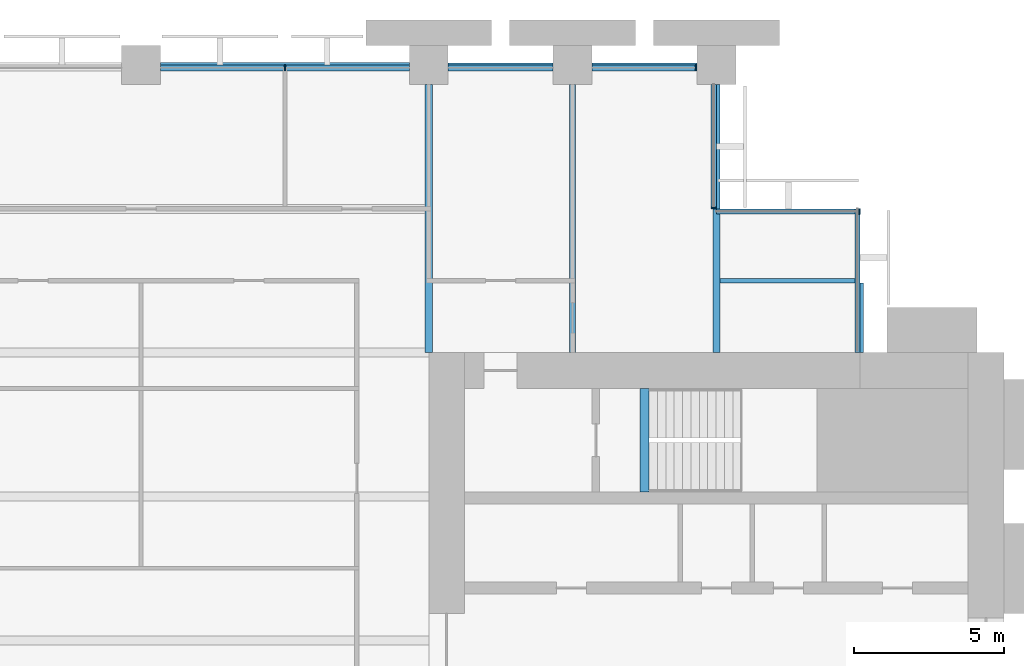
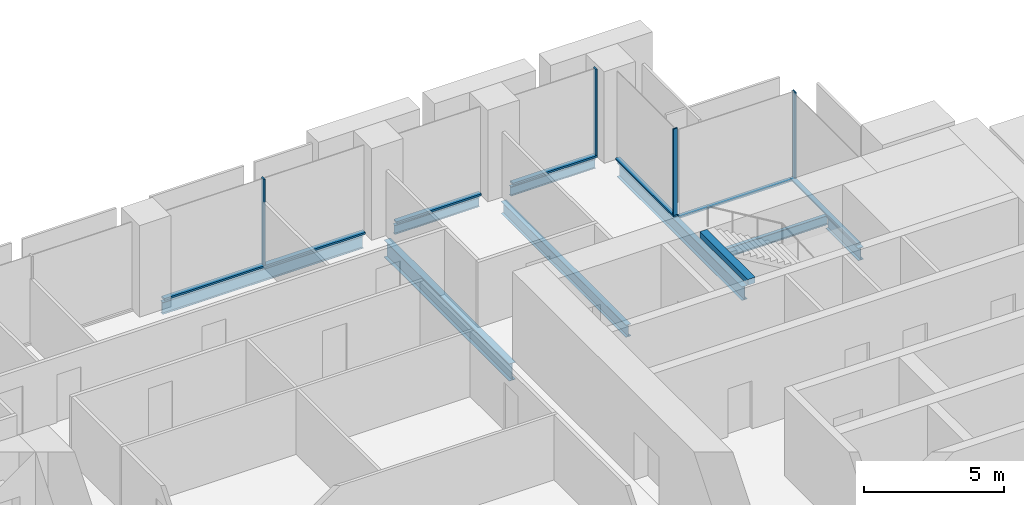
# One storey, part 7 of 14: 10 members, 9 beams, 4 elements without a shape of their own.
"""IFC4 building model written with IfcOpenShell, lengths in metres."""

import ifcopenshell
import ifcopenshell.guid

model = None  # the IFC model being written
_history = None  # IfcOwnerHistory: only IFC2X3 demands one
_inside = {}  # id of a spatial element -> (the spatial element, [elements in it])
_under = {}  # id of a project, library or spatial element -> (it, [spatial elements below it])
_declared = {}  # id of a project -> (the project, [libraries it declares])
_typed = {}  # id of a type object -> (the type object, [elements of that type])
_made_of = {}  # id of a material, layer set ... -> (it, [elements and type objects made of it])


def new_model(schema):
    """Start an empty IFC model of exactly this schema.

    Asked for "IFC4X3", IfcOpenShell would pick the latest addendum, in which some entities
    have other attributes; the version numbers below select the first issue.
    IFC2X3 requires an IfcOwnerHistory on every rooted entity: one is made here for all.
    """
    global model, _history
    if schema == "IFC4X3":
        model = ifcopenshell.file(schema_version=(4, 3, 0, 0))
    else:
        model = ifcopenshell.file(schema=schema)
    _inside.clear()
    _under.clear()
    _declared.clear()
    _typed.clear()
    _made_of.clear()
    _history = None
    if model.schema == "IFC2X3":
        org = make("IfcOrganization", Name="unknown")
        user = make(
            "IfcPersonAndOrganization",
            ThePerson=make("IfcPerson", FamilyName="unknown"),
            TheOrganization=org,
        )
        app = make(
            "IfcApplication",
            ApplicationDeveloper=org,
            Version="unknown",
            ApplicationFullName="unknown",
            ApplicationIdentifier="unknown",
        )
        _history = make(
            "IfcOwnerHistory",
            OwningUser=user,
            OwningApplication=app,
            ChangeAction="ADDED",
            CreationDate=0,
        )
    return model


def make(cls, **values):
    """One entity of the class cls with the attributes given. An attribute that is None is left unset."""
    return model.create_entity(
        cls, **{name: value for name, value in values.items() if value is not None}
    )


def rooted(cls, **values):
    """An entity with a GlobalId (a new one), such as an element, a storey or a relation."""
    return make(cls, GlobalId=ifcopenshell.guid.new(), OwnerHistory=_history, **values)


def si_unit(unit_type, name, prefix=None):
    """IfcSIUnit, for example si_unit("LENGTHUNIT", "METRE", prefix="MILLI")."""
    return make("IfcSIUnit", UnitType=unit_type, Prefix=prefix, Name=name)


def assignment(units):
    """IfcUnitAssignment: the units of a project."""
    return None if units is None else make("IfcUnitAssignment", Units=units)


def point(xyz):
    """IfcCartesianPoint."""
    return None if xyz is None else make("IfcCartesianPoint", Coordinates=xyz)


def direction(xyz):
    """IfcDirection."""
    return None if xyz is None else make("IfcDirection", DirectionRatios=xyz)


def frame(location, z_axis=None, x_axis=None):
    """IfcAxis2Placement3D, a coordinate frame: its origin and axes. An axis left out is left unset."""
    return make(
        "IfcAxis2Placement3D",
        Location=point(location),
        Axis=direction(z_axis),
        RefDirection=direction(x_axis),
    )


def frame_2d(location, x_axis=None):
    """IfcAxis2Placement2D, a coordinate frame in the plane: its origin and x axis."""
    return make(
        "IfcAxis2Placement2D", Location=point(location), RefDirection=direction(x_axis)
    )


def origin():
    """The frame at (0, 0, 0) with its axes left unset."""
    return frame((0.0, 0.0, 0.0))


def origin_2d():
    """The frame at (0, 0) in the plane with its x axis left unset."""
    return frame_2d((0.0, 0.0))


def place(relative_to, where):
    """IfcLocalPlacement: puts the frame where relative to a parent placement (None: the world)."""
    return make(
        "IfcLocalPlacement", PlacementRelTo=relative_to, RelativePlacement=where
    )


def context(
    kind, dimensions, precision=None, world=None, true_north=None, identifier=None
):
    """IfcGeometricRepresentationContext, for example the 3D "Model" context."""
    return make(
        "IfcGeometricRepresentationContext",
        ContextIdentifier=identifier,
        ContextType=kind,
        CoordinateSpaceDimension=dimensions,
        Precision=precision,
        WorldCoordinateSystem=world,
        TrueNorth=true_north,
    )


def subcontext(parent, identifier, kind, view, scale=None):
    """IfcGeometricRepresentationSubContext, for example "Body" below "Model"."""
    return make(
        "IfcGeometricRepresentationSubContext",
        ContextIdentifier=identifier,
        ContextType=kind,
        ParentContext=parent,
        TargetScale=scale,
        TargetView=view,
    )


def project(units=None, contexts=None):
    """IfcProject with its units and contexts."""
    return rooted(
        "IfcProject",
        Name="project",
        RepresentationContexts=contexts,
        UnitsInContext=assignment(units),
    )


def spatial(cls, under=None, at=None, **own):
    """A site, building, storey or space (cls), placed at a placement, below another one or the project."""
    s = rooted(cls, ObjectPlacement=at, **own)
    if under is not None:
        _under.setdefault(under.id(), (under, []))[1].append(s)
    return s


def profile(cls, at=None, kind="AREA", **sizes):
    """A parametric profile (cls). Its sizes go by their IFC names, for example OverallWidth=200.0."""
    return make(cls, ProfileType=kind, Position=at, **sizes)


def rectangle(**sizes):
    """IfcRectangleProfileDef."""
    return profile("IfcRectangleProfileDef", **sizes)


def i_section(**sizes):
    """IfcIShapeProfileDef."""
    return profile("IfcIShapeProfileDef", **sizes)


def extrude(swept, where, along, depth):
    """IfcExtrudedAreaSolid: the profile swept, set in the frame where, extruded along a direction by depth."""
    return make(
        "IfcExtrudedAreaSolid",
        SweptArea=swept,
        Position=where,
        ExtrudedDirection=direction(along),
        Depth=depth,
    )


def shape(context_of_items, identifier, shape_type, items):
    """IfcShapeRepresentation: the items that make up one representation, for example the "Body"."""
    return make(
        "IfcShapeRepresentation",
        ContextOfItems=context_of_items,
        RepresentationIdentifier=identifier,
        RepresentationType=shape_type,
        Items=items,
    )


def material(Name=None, Category=None):
    """IfcMaterial."""
    return make("IfcMaterial", Name=Name, Category=Category)


def material_profile(
    of_material, cross_section, Name=None, Category=None, Priority=None
):
    """IfcMaterialProfile: a cross section and its material."""
    return make(
        "IfcMaterialProfile",
        Name=Name,
        Material=of_material,
        Profile=cross_section,
        Priority=Priority,
        Category=Category,
    )


def profile_set(profiles, Name=None, composite=None):
    """IfcMaterialProfileSet."""
    return make(
        "IfcMaterialProfileSet",
        Name=Name,
        MaterialProfiles=profiles,
        CompositeProfile=composite,
    )


def made_of(thing, what):
    """Note that an element or type object is made of a material, layer set ...; save() writes the relation."""
    if what is not None:
        _made_of.setdefault(what.id(), (what, []))[1].append(thing)
    return thing


def type_object(cls, material=None, **own):
    """A type object (cls), such as IfcWallType, which elements share."""
    return made_of(rooted(cls, **own), material)


def element(
    cls,
    number,
    at=None,
    inside=None,
    cuts=None,
    type_object=None,
    material=None,
    context=None,
    identifier="Body",
    shape_type=None,
    held_by="IfcProductDefinitionShape",
    body=None,
    shapes=None,
    **own,
):
    """One element of the class cls, such as IfcWall. Its Tag is "e" and its number.

    at: its placement. inside: the storey or other place that contains it. cuts: it is an
    opening in that element (IfcRelVoidsElement). A single representation is given by context,
    identifier, shape_type and body (its items); several are given by shapes. held_by: the class
    of the entity that holds the representations. save() writes the other relations.
    """
    e = rooted(cls, Tag="e%d" % number, ObjectPlacement=at, **own)
    if body is not None:
        shapes = [shape(context, identifier, shape_type, body)]
    if shapes is not None:
        e.Representation = make(held_by, Representations=shapes)
    if inside is not None:
        _inside.setdefault(inside.id(), (inside, []))[1].append(e)
    if cuts is not None:
        rooted(
            "IfcRelVoidsElement", RelatingBuildingElement=cuts, RelatedOpeningElement=e
        )
    if type_object is not None:
        _typed.setdefault(type_object.id(), (type_object, []))[1].append(e)
    return made_of(e, material)


def aggregate(whole, parts):
    """IfcRelAggregates: a whole, such as a stair, and the parts it consists of."""
    return rooted("IfcRelAggregates", RelatingObject=whole, RelatedObjects=parts)


def save(model, path):
    """Write the relations noted so far, then the file.

    IfcRelAggregates (storeys below a building ...), IfcRelContainedInSpatialStructure (elements
    in a storey), IfcRelDefinesByType, IfcRelAssociatesMaterial and IfcRelDeclares: one each for
    every whole, place, type object, material and project.
    """
    for whole, parts in _under.values():
        aggregate(whole, parts)
    for where, things in _inside.values():
        rooted(
            "IfcRelContainedInSpatialStructure",
            RelatedElements=things,
            RelatingStructure=where,
        )
    for kind, things in _typed.values():
        rooted("IfcRelDefinesByType", RelatedObjects=things, RelatingType=kind)
    for what, things in _made_of.values():
        rooted("IfcRelAssociatesMaterial", RelatedObjects=things, RelatingMaterial=what)
    for by, libraries in _declared.values():
        rooted("IfcRelDeclares", RelatingContext=by, RelatedDefinitions=libraries)
    model.write(path)


model = new_model("IFC4")

# Units and contexts
model_context = context("Model", 3, precision=1e-05, world=origin(), true_north=direction((0.0, 1.0)))
body_context = subcontext(model_context, "Body", "Model", "MODEL_VIEW")
ifc_project = project(units=[si_unit("LENGTHUNIT", "METRE"), si_unit("AREAUNIT", "SQUARE_METRE"), si_unit("VOLUMEUNIT", "CUBIC_METRE"), si_unit("PLANEANGLEUNIT", "RADIAN"), si_unit("MASSUNIT", "GRAM", prefix="KILO")], contexts=[model_context])

# Site, building, storey
site_placement = place(None, origin())
site = spatial("IfcSite", under=ifc_project, at=site_placement, CompositionType="ELEMENT")
building_placement = place(site_placement, origin())
building = spatial("IfcBuilding", under=site, at=building_placement, Name="Baori Bourse Tower", CompositionType="ELEMENT")
storey_placement = place(building_placement, frame((0.0, 0.0, 67.0)))
storey = spatial("IfcBuildingStorey", under=building, at=storey_placement, Name="L14", CompositionType="ELEMENT", Elevation=67.0)

# Curtain wall, members
ifc_material_1 = material(Name="Pale anodised aluminium", Category="aluminium")
curtain_wall_type_1 = type_object("IfcCurtainWallType", Name="CW1 Curtain wall", PredefinedType="NOTDEFINED", material=ifc_material_1)
curtain_wall_1_placement = place(storey_placement, origin())
curtain_wall_1 = element("IfcCurtainWall", 1, at=curtain_wall_1_placement, inside=storey, type_object=curtain_wall_type_1, Name="Curtain wall CW1 L14 4", PredefinedType="NOTDEFINED")
ifc_material_2 = material(Name="Pale anodised aluminium", Category="aluminium")
ifc_material_profile_1 = material_profile(ifc_material_2, rectangle(XDim=0.199951171875, YDim=0.06005859375, at=origin_2d()), Name="Mullion 60x200")
ifc_profile_set_1 = profile_set([ifc_material_profile_1], Name="Pale anodised aluminium")
member_type_1 = type_object("IfcMemberType", Name="CW1 Curtain wall mullion", PredefinedType="MULLION", material=ifc_profile_set_1)
member_1_placement = place(storey_placement, frame((47.320068359375, 47.89990234375, 0.080078125), z_axis=(0.0, 0.0, 1.0), x_axis=(0.0, -1.0, 0.0)))
member_1 = element("IfcMember", 2, at=member_1_placement, type_object=member_type_1, Name="Curtain wall CW1 mullion", PredefinedType="MULLION", context=body_context, shape_type="SweptSolid", body=[
    extrude(rectangle(XDim=0.199951171875, YDim=0.06005859375, at=origin_2d()), origin(), (0.0, 0.0, 1.0), 3.760009765625),
])
member_2_placement = place(storey_placement, frame((33.60009765625, 47.89990234375, 0.080078125), z_axis=(0.0, 0.0, 1.0), x_axis=(0.0, -1.0, 0.0)))
member_2 = element("IfcMember", 3, at=member_2_placement, type_object=member_type_1, Name="Curtain wall CW1 mullion", PredefinedType="MULLION", context=body_context, shape_type="SweptSolid", body=[
    extrude(rectangle(XDim=0.199951171875, YDim=0.06005859375, at=origin_2d()), origin(), (0.0, 0.0, 1.0), 3.760009765625),
])
ifc_material_3 = material(Name="Pale anodised aluminium", Category="aluminium")
ifc_material_profile_2 = material_profile(ifc_material_3, rectangle(XDim=0.199951171875, YDim=0.080078125, at=origin_2d()), Name="Transom 80x200")
ifc_profile_set_2 = profile_set([ifc_material_profile_2], Name="Pale anodised aluminium")
member_type_2 = type_object("IfcMemberType", Name="CW1 Curtain wall transom", PredefinedType="USERDEFINED", material=ifc_profile_set_2)
member_3_placement = place(storey_placement, frame((47.35009765625, 47.89990234375, 0.0400390625), z_axis=(-1.0, 0.0, 0.0), x_axis=(0.0, -1.0, 0.0)))
member_3 = element("IfcMember", 4, at=member_3_placement, type_object=member_type_2, Name="Curtain wall CW1 sill rail", ObjectType="TRANSOM", PredefinedType="USERDEFINED", context=body_context, shape_type="SweptSolid", body=[
    extrude(rectangle(XDim=0.199951171875, YDim=0.080078125, at=origin_2d()), origin(), (0.0, 0.0, 1.0), 3.5),
])
member_4_placement = place(storey_placement, frame((42.550048828125, 47.89990234375, 0.0400390625), z_axis=(-1.0, 0.0, 0.0), x_axis=(0.0, -1.0, 0.0)))
member_4 = element("IfcMember", 5, at=member_4_placement, type_object=member_type_2, Name="Curtain wall CW1 sill rail", ObjectType="TRANSOM", PredefinedType="USERDEFINED", context=body_context, shape_type="SweptSolid", body=[
    extrude(rectangle(XDim=0.199951171875, YDim=0.080078125, at=origin_2d()), origin(), (0.0, 0.0, 1.0), 3.5),
])
member_5_placement = place(storey_placement, frame((37.75, 47.89990234375, 0.0400390625), z_axis=(-1.0, 0.0, 0.0), x_axis=(0.0, -1.0, 0.0)))
member_5 = element("IfcMember", 6, at=member_5_placement, type_object=member_type_2, Name="Curtain wall CW1 sill rail", ObjectType="TRANSOM", PredefinedType="USERDEFINED", context=body_context, shape_type="SweptSolid", body=[
    extrude(rectangle(XDim=0.199951171875, YDim=0.080078125, at=origin_2d()), origin(), (0.0, 0.0, 1.0), 8.300048828125),
])
aggregate(curtain_wall_1, [member_3, member_1, member_4, member_5, member_2])

# Curtain wall, member
ifc_material_4 = material(Name="Pale anodised aluminium", Category="aluminium")
curtain_wall_type_2 = type_object("IfcCurtainWallType", Name="CW2 Curtain wall", PredefinedType="NOTDEFINED", material=ifc_material_4)
curtain_wall_2_placement = place(storey_placement, origin())
curtain_wall_2 = element("IfcCurtainWall", 7, at=curtain_wall_2_placement, inside=storey, type_object=curtain_wall_type_2, Name="Curtain wall CW2 L14 2", PredefinedType="NOTDEFINED")
ifc_material_5 = material(Name="Pale anodised aluminium", Category="aluminium")
ifc_material_profile_3 = material_profile(ifc_material_5, rectangle(XDim=0.179931640625, YDim=0.054931640625, at=origin_2d()), Name="Mullion 55x180")
ifc_profile_set_3 = profile_set([ifc_material_profile_3], Name="Pale anodised aluminium")
member_type_3 = type_object("IfcMemberType", Name="CW2 Curtain wall mullion", PredefinedType="MULLION", material=ifc_profile_set_3)
member_6_placement = place(storey_placement, frame((52.7724609375, 43.110107421875, 0.070068359375), z_axis=(0.0, 0.0, 1.0), x_axis=(0.0, -1.0, 0.0)))
member_6 = element("IfcMember", 8, at=member_6_placement, type_object=member_type_3, Name="Curtain wall CW2 mullion", PredefinedType="MULLION", context=body_context, shape_type="SweptSolid", body=[
    extrude(rectangle(XDim=0.179931640625, YDim=0.054931640625, at=origin_2d()), origin(), (0.0, 0.0, 1.0), 3.77001953125),
])

curtain_wall_3_placement = place(storey_placement, origin())
curtain_wall_3 = element("IfcCurtainWall", 9, at=curtain_wall_3_placement, inside=storey, type_object=curtain_wall_type_2, Name="Curtain wall CW2 L14 3", PredefinedType="NOTDEFINED")
member_7_placement = place(storey_placement, frame((47.909912109375, 43.2275390625, 0.070068359375), z_axis=(0.0, 0.0, 1.0), x_axis=(-1.0, 0.0, 0.0)))
member_7 = element("IfcMember", 10, at=member_7_placement, type_object=member_type_3, Name="Curtain wall CW2 mullion", PredefinedType="MULLION", context=body_context, shape_type="SweptSolid", body=[
    extrude(rectangle(XDim=0.179931640625, YDim=0.054931640625, at=origin_2d()), origin(), (0.0, 0.0, 1.0), 3.77001953125),
])

curtain_wall_4_placement = place(storey_placement, origin())
curtain_wall_4 = element("IfcCurtainWall", 11, at=curtain_wall_4_placement, inside=storey, type_object=curtain_wall_type_2, Name="Curtain wall CW2 L14 1", PredefinedType="NOTDEFINED")
ifc_material_6 = material(Name="Pale anodised aluminium", Category="aluminium")
ifc_material_profile_4 = material_profile(ifc_material_6, rectangle(XDim=0.179931640625, YDim=0.070068359375, at=origin_2d()), Name="Transom 70x180")
ifc_profile_set_4 = profile_set([ifc_material_profile_4], Name="Pale anodised aluminium")
member_type_4 = type_object("IfcMemberType", Name="CW2 Curtain wall transom", PredefinedType="USERDEFINED", material=ifc_profile_set_4)
member_8_placement = place(storey_placement, frame((52.7099609375, 38.39990234375, 0.034912109375), z_axis=(0.0, 1.0, 0.0), x_axis=(-1.0, 0.0, 0.0)))
member_8 = element("IfcMember", 12, at=member_8_placement, type_object=member_type_4, Name="Curtain wall CW2 sill rail", ObjectType="TRANSOM", PredefinedType="USERDEFINED", context=body_context, shape_type="SweptSolid", body=[
    extrude(rectangle(XDim=0.179931640625, YDim=0.070068359375, at=origin_2d()), origin(), (0.0, 0.0, 1.0), 4.800048828125),
])
aggregate(curtain_wall_4, [member_8])

# Member
member_9_placement = place(storey_placement, frame((52.800048828125, 43.110107421875, 0.034912109375), z_axis=(-1.0, 0.0, 0.0), x_axis=(0.0, -1.0, 0.0)))
member_9 = element("IfcMember", 13, at=member_9_placement, type_object=member_type_4, Name="Curtain wall CW2 sill rail", ObjectType="TRANSOM", PredefinedType="USERDEFINED", context=body_context, shape_type="SweptSolid", body=[
    extrude(rectangle(XDim=0.179931640625, YDim=0.070068359375, at=origin_2d()), origin(), (0.0, 0.0, 1.0), 4.800048828125),
])

aggregate(curtain_wall_2, [member_9, member_6])

member_10_placement = place(storey_placement, frame((47.909912109375, 43.199951171875, 0.034912109375), z_axis=(0.0, 1.0, 0.0), x_axis=(-1.0, 0.0, 0.0)))
member_10 = element("IfcMember", 14, at=member_10_placement, type_object=member_type_4, Name="Curtain wall CW2 sill rail", ObjectType="TRANSOM", PredefinedType="USERDEFINED", context=body_context, shape_type="SweptSolid", body=[
    extrude(rectangle(XDim=0.179931640625, YDim=0.070068359375, at=origin_2d()), origin(), (0.0, 0.0, 1.0), 4.150146484375),
])

aggregate(curtain_wall_3, [member_10, member_7])

# Beams
ifc_material_7 = material(Name="Steel A992 Gr 50", Category="steel")
ifc_material_profile_5 = material_profile(ifc_material_7, i_section(OverallWidth=0.21240234375, OverallDepth=0.54345703125, WebThickness=0.01318359375, FlangeThickness=0.021240234375, at=origin_2d()), Name="W21x83")
ifc_profile_set_5 = profile_set([ifc_material_profile_5], Name="Steel A992 Gr 50")
beam_type_1 = type_object("IfcBeamType", Name="Core bracket W21x83", PredefinedType="BEAM", material=ifc_profile_set_5)
beam_1_placement = place(storey_placement, frame((52.800048828125, 38.39990234375, -0.431884765625), z_axis=(0.0, 1.0, 0.0), x_axis=(-1.0, 0.0, 0.0)))
element("IfcBeam", 15, at=beam_1_placement, inside=storey, type_object=beam_type_1, Name="Core bracket L14", PredefinedType="BEAM", context=body_context, shape_type="SweptSolid", body=[
    extrude(i_section(OverallWidth=0.21240234375, OverallDepth=0.54345703125, WebThickness=0.01318359375, FlangeThickness=0.021240234375, at=origin_2d()), origin(), (0.0, 0.0, 1.0), 2.329833984375),
])
ifc_material_8 = material(Name="Steel A992 Gr 50", Category="steel")
ifc_material_profile_6 = material_profile(ifc_material_8, i_section(OverallWidth=0.140380859375, OverallDepth=0.40380859375, WebThickness=0.007080078125, FlangeThickness=0.01123046875, at=origin_2d()), Name="W16x31")
ifc_profile_set_6 = profile_set([ifc_material_profile_6], Name="Steel A992 Gr 50")
beam_type_2 = type_object("IfcBeamType", Name="Edge beam W16x31", PredefinedType="BEAM", material=ifc_profile_set_6)
for number, where, z_axis, x_axis, name in (
    (16, (39.050048828125, 48.0, -0.36181640625), (1.0, 0.0, 0.0), (0.0, 1.0, 0.0), "Edge beam L14"),
    (17, (43.85009765625, 48.0, -0.36181640625), (1.0, 0.0, 0.0), (0.0, 1.0, 0.0), "Edge beam L14"),
):
    element("IfcBeam", number, at=place(storey_placement, frame(where, z_axis=z_axis, x_axis=x_axis)), inside=storey, type_object=beam_type_2, Name=name, PredefinedType="BEAM", context=body_context, shape_type="SweptSolid", body=[
        extrude(i_section(OverallWidth=0.140380859375, OverallDepth=0.40380859375, WebThickness=0.007080078125, FlangeThickness=0.01123046875, at=origin_2d()), origin(), (0.0, 0.0, 1.0), 3.5),
    ])
ifc_material_9 = material(Name="Steel A992 Gr 50", Category="steel")
ifc_material_profile_7 = material_profile(ifc_material_9, i_section(OverallWidth=0.1650390625, OverallDepth=0.52587890625, WebThickness=0.0087890625, FlangeThickness=0.011474609375, at=origin_2d()), Name="W21x44")
ifc_profile_set_7 = profile_set([ifc_material_profile_7], Name="Steel A992 Gr 50")
beam_type_3 = type_object("IfcBeamType", Name="Edge beam W21x44", PredefinedType="BEAM", material=ifc_profile_set_7)
beam_2_placement = place(storey_placement, frame((29.449951171875, 48.0, -0.4228515625), z_axis=(1.0, 0.0, 0.0), x_axis=(0.0, 1.0, 0.0)))
element("IfcBeam", 18, at=beam_2_placement, inside=storey, type_object=beam_type_3, Name="Edge beam L14", PredefinedType="BEAM", context=body_context, shape_type="SweptSolid", body=[
    extrude(i_section(OverallWidth=0.1650390625, OverallDepth=0.52587890625, WebThickness=0.0087890625, FlangeThickness=0.011474609375, at=origin_2d()), origin(), (0.0, 0.0, 1.0), 8.300048828125),
])
ifc_material_10 = material(Name="Steel A992 Gr 50", Category="steel")
ifc_material_profile_8 = material_profile(ifc_material_10, i_section(OverallWidth=0.209228515625, OverallDepth=0.533447265625, WebThickness=0.01025390625, FlangeThickness=0.015625, at=origin_2d()), Name="W21x62")
ifc_profile_set_8 = profile_set([ifc_material_profile_8], Name="Steel A992 Gr 50")
beam_type_4 = type_object("IfcBeamType", Name="Floor beam W21x62", PredefinedType="BEAM", material=ifc_profile_set_8)
beam_3_placement = place(storey_placement, frame((43.199951171875, 38.39990234375, -0.4267578125), z_axis=(0.0, 1.0, 0.0), x_axis=(-1.0, 0.0, 0.0)))
element("IfcBeam", 19, at=beam_3_placement, inside=storey, type_object=beam_type_4, Name="Floor beam L14", PredefinedType="BEAM", context=body_context, shape_type="SweptSolid", body=[
    extrude(i_section(OverallWidth=0.209228515625, OverallDepth=0.533447265625, WebThickness=0.01025390625, FlangeThickness=0.015625, at=origin_2d()), origin(), (0.0, 0.0, 1.0), 8.9501953125),
])
ifc_material_11 = material(Name="Steel A992 Gr 50", Category="steel")
ifc_material_profile_9 = material_profile(ifc_material_11, i_section(OverallWidth=0.227783203125, OverallDepth=0.60205078125, WebThickness=0.010498046875, FlangeThickness=0.014892578125, at=origin_2d()), Name="W24x68")
ifc_profile_set_9 = profile_set([ifc_material_profile_9], Name="Steel A992 Gr 50")
beam_type_5 = type_object("IfcBeamType", Name="Floor beam W24x68", PredefinedType="BEAM", material=ifc_profile_set_9)
beam_4_placement = place(storey_placement, frame((48.0, 38.39990234375, -0.4609375), z_axis=(0.0, 1.0, 0.0), x_axis=(-1.0, 0.0, 0.0)))
element("IfcBeam", 20, at=beam_4_placement, inside=storey, type_object=beam_type_5, Name="Floor beam L14", PredefinedType="BEAM", context=body_context, shape_type="SweptSolid", body=[
    extrude(i_section(OverallWidth=0.227783203125, OverallDepth=0.60205078125, WebThickness=0.010498046875, FlangeThickness=0.014892578125, at=origin_2d()), origin(), (0.0, 0.0, 1.0), 8.9501953125),
])
ifc_material_12 = material(Name="Steel A992 Gr 50", Category="steel")
ifc_material_profile_10 = material_profile(ifc_material_12, i_section(OverallWidth=0.2666015625, OverallDepth=0.7568359375, WebThickness=0.013916015625, FlangeThickness=0.019287109375, at=origin_2d()), Name="W30x108")
ifc_profile_set_10 = profile_set([ifc_material_profile_10], Name="Steel A992 Gr 50")
beam_type_6 = type_object("IfcBeamType", Name="Girder W30x108", PredefinedType="BEAM", material=ifc_profile_set_10)
beam_5_placement = place(storey_placement, frame((38.39990234375, 38.39990234375, -0.53857421875), z_axis=(0.0, 1.0, 0.0), x_axis=(-1.0, 0.0, 0.0)))
element("IfcBeam", 21, at=beam_5_placement, inside=storey, type_object=beam_type_6, Name="Girder L14", PredefinedType="BEAM", context=body_context, shape_type="SweptSolid", body=[
    extrude(i_section(OverallWidth=0.2666015625, OverallDepth=0.7568359375, WebThickness=0.013916015625, FlangeThickness=0.019287109375, at=origin_2d()), origin(), (0.0, 0.0, 1.0), 8.9501953125),
])
ifc_material_13 = material(Name="Concrete f'c 50 MPa", Category="concrete")
ifc_material_profile_11 = material_profile(ifc_material_13, rectangle(XDim=0.300048828125, YDim=0.25, at=origin_2d()), Name="RC 300x250")
ifc_profile_set_11 = profile_set([ifc_material_profile_11], Name="Concrete f'c 50 MPa")
beam_type_7 = type_object("IfcBeamType", Name="Stair nib beam RC 300x250", PredefinedType="BEAM", material=ifc_profile_set_11)
beam_6_placement = place(storey_placement, frame((45.60009765625, 33.75, 3.715087890625), z_axis=(0.0, 1.0, 0.0), x_axis=(-1.0, 0.0, 0.0)))
element("IfcBeam", 22, at=beam_6_placement, inside=storey, type_object=beam_type_7, Name="Stair EB nib beam L15", PredefinedType="BEAM", context=body_context, shape_type="SweptSolid", body=[
    extrude(rectangle(XDim=0.300048828125, YDim=0.25, at=origin_2d()), origin(), (0.0, 0.0, 1.0), 3.449951171875),
])
ifc_material_14 = material(Name="Steel A992 Gr 50", Category="steel")
ifc_material_profile_12 = material_profile(ifc_material_14, i_section(OverallWidth=0.140380859375, OverallDepth=0.40380859375, WebThickness=0.007080078125, FlangeThickness=0.01123046875, at=origin_2d()), Name="W16x31")
ifc_profile_set_12 = profile_set([ifc_material_profile_12], Name="Steel A992 Gr 50")
beam_type_8 = type_object("IfcBeamType", Name="Trimmer beam W16x31", PredefinedType="BEAM", material=ifc_profile_set_12)
beam_7_placement = place(storey_placement, frame((48.114013671875, 40.800048828125, -0.36181640625), z_axis=(1.0, 0.0, 0.0), x_axis=(0.0, 1.0, 0.0)))
element("IfcBeam", 23, at=beam_7_placement, inside=storey, type_object=beam_type_8, Name="Trimmer beam L14", PredefinedType="BEAM", context=body_context, shape_type="SweptSolid", body=[
    extrude(i_section(OverallWidth=0.140380859375, OverallDepth=0.40380859375, WebThickness=0.007080078125, FlangeThickness=0.01123046875, at=origin_2d()), origin(), (0.0, 0.0, 1.0), 4.68603515625),
])

save(model, "model.ifc")
